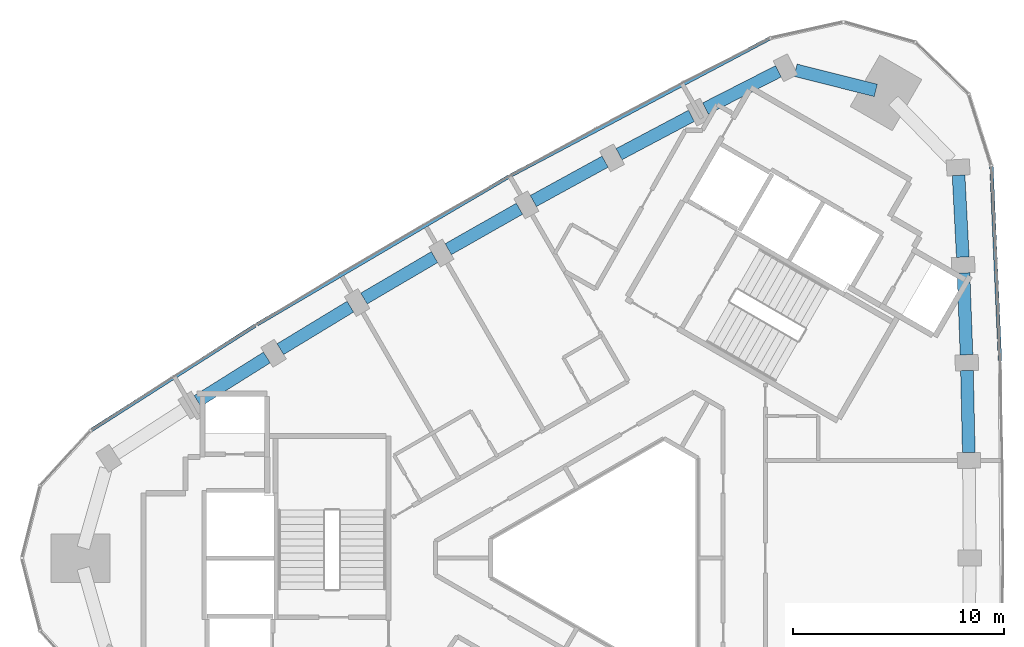
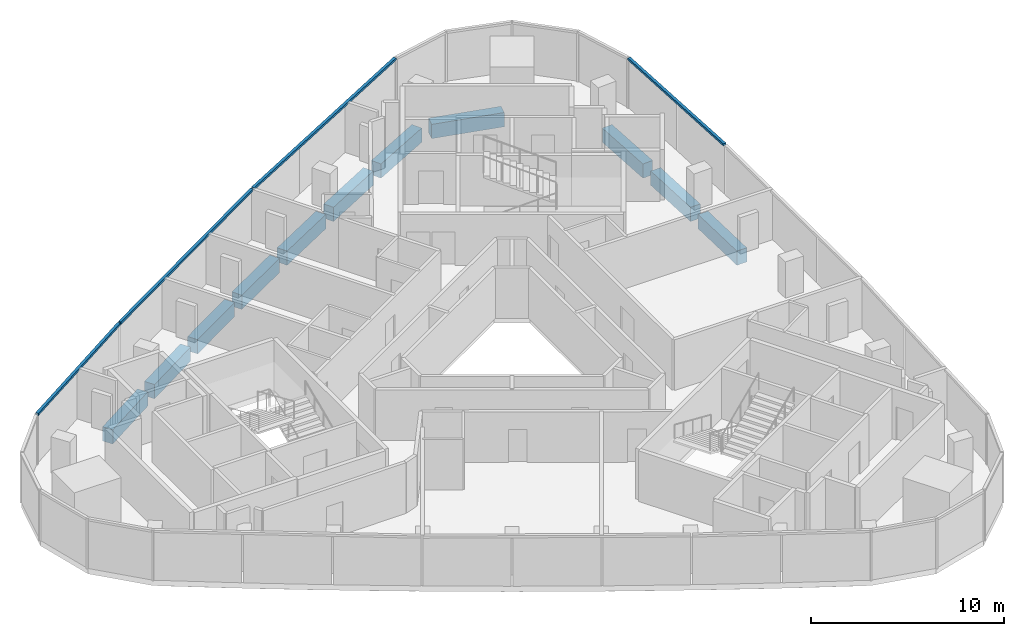
# One storey, part 4 of 11: 11 beams, 4 members, 2 elements without a shape of their own.
"""IFC4 building model written with IfcOpenShell, lengths in metres."""

import ifcopenshell
import ifcopenshell.guid

model = None  # the IFC model being written
_history = None  # IfcOwnerHistory: only IFC2X3 demands one
_inside = {}  # id of a spatial element -> (the spatial element, [elements in it])
_under = {}  # id of a project, library or spatial element -> (it, [spatial elements below it])
_declared = {}  # id of a project -> (the project, [libraries it declares])
_typed = {}  # id of a type object -> (the type object, [elements of that type])
_made_of = {}  # id of a material, layer set ... -> (it, [elements and type objects made of it])


def new_model(schema):
    """Start an empty IFC model of exactly this schema.

    Asked for "IFC4X3", IfcOpenShell would pick the latest addendum, in which some entities
    have other attributes; the version numbers below select the first issue.
    IFC2X3 requires an IfcOwnerHistory on every rooted entity: one is made here for all.
    """
    global model, _history
    if schema == "IFC4X3":
        model = ifcopenshell.file(schema_version=(4, 3, 0, 0))
    else:
        model = ifcopenshell.file(schema=schema)
    _inside.clear()
    _under.clear()
    _declared.clear()
    _typed.clear()
    _made_of.clear()
    _history = None
    if model.schema == "IFC2X3":
        org = make("IfcOrganization", Name="unknown")
        user = make(
            "IfcPersonAndOrganization",
            ThePerson=make("IfcPerson", FamilyName="unknown"),
            TheOrganization=org,
        )
        app = make(
            "IfcApplication",
            ApplicationDeveloper=org,
            Version="unknown",
            ApplicationFullName="unknown",
            ApplicationIdentifier="unknown",
        )
        _history = make(
            "IfcOwnerHistory",
            OwningUser=user,
            OwningApplication=app,
            ChangeAction="ADDED",
            CreationDate=0,
        )
    return model


def make(cls, **values):
    """One entity of the class cls with the attributes given. An attribute that is None is left unset."""
    return model.create_entity(
        cls, **{name: value for name, value in values.items() if value is not None}
    )


def rooted(cls, **values):
    """An entity with a GlobalId (a new one), such as an element, a storey or a relation."""
    return make(cls, GlobalId=ifcopenshell.guid.new(), OwnerHistory=_history, **values)


def si_unit(unit_type, name, prefix=None):
    """IfcSIUnit, for example si_unit("LENGTHUNIT", "METRE", prefix="MILLI")."""
    return make("IfcSIUnit", UnitType=unit_type, Prefix=prefix, Name=name)


def assignment(units):
    """IfcUnitAssignment: the units of a project."""
    return None if units is None else make("IfcUnitAssignment", Units=units)


def point(xyz):
    """IfcCartesianPoint."""
    return None if xyz is None else make("IfcCartesianPoint", Coordinates=xyz)


def direction(xyz):
    """IfcDirection."""
    return None if xyz is None else make("IfcDirection", DirectionRatios=xyz)


def frame(location, z_axis=None, x_axis=None):
    """IfcAxis2Placement3D, a coordinate frame: its origin and axes. An axis left out is left unset."""
    return make(
        "IfcAxis2Placement3D",
        Location=point(location),
        Axis=direction(z_axis),
        RefDirection=direction(x_axis),
    )


def frame_2d(location, x_axis=None):
    """IfcAxis2Placement2D, a coordinate frame in the plane: its origin and x axis."""
    return make(
        "IfcAxis2Placement2D", Location=point(location), RefDirection=direction(x_axis)
    )


def origin():
    """The frame at (0, 0, 0) with its axes left unset."""
    return frame((0.0, 0.0, 0.0))


def origin_2d():
    """The frame at (0, 0) in the plane with its x axis left unset."""
    return frame_2d((0.0, 0.0))


def place(relative_to, where):
    """IfcLocalPlacement: puts the frame where relative to a parent placement (None: the world)."""
    return make(
        "IfcLocalPlacement", PlacementRelTo=relative_to, RelativePlacement=where
    )


def context(
    kind, dimensions, precision=None, world=None, true_north=None, identifier=None
):
    """IfcGeometricRepresentationContext, for example the 3D "Model" context."""
    return make(
        "IfcGeometricRepresentationContext",
        ContextIdentifier=identifier,
        ContextType=kind,
        CoordinateSpaceDimension=dimensions,
        Precision=precision,
        WorldCoordinateSystem=world,
        TrueNorth=true_north,
    )


def subcontext(parent, identifier, kind, view, scale=None):
    """IfcGeometricRepresentationSubContext, for example "Body" below "Model"."""
    return make(
        "IfcGeometricRepresentationSubContext",
        ContextIdentifier=identifier,
        ContextType=kind,
        ParentContext=parent,
        TargetScale=scale,
        TargetView=view,
    )


def project(units=None, contexts=None):
    """IfcProject with its units and contexts."""
    return rooted(
        "IfcProject",
        Name="project",
        RepresentationContexts=contexts,
        UnitsInContext=assignment(units),
    )


def spatial(cls, under=None, at=None, **own):
    """A site, building, storey or space (cls), placed at a placement, below another one or the project."""
    s = rooted(cls, ObjectPlacement=at, **own)
    if under is not None:
        _under.setdefault(under.id(), (under, []))[1].append(s)
    return s


def profile(cls, at=None, kind="AREA", **sizes):
    """A parametric profile (cls). Its sizes go by their IFC names, for example OverallWidth=200.0."""
    return make(cls, ProfileType=kind, Position=at, **sizes)


def rectangle(**sizes):
    """IfcRectangleProfileDef."""
    return profile("IfcRectangleProfileDef", **sizes)


def extrude(swept, where, along, depth):
    """IfcExtrudedAreaSolid: the profile swept, set in the frame where, extruded along a direction by depth."""
    return make(
        "IfcExtrudedAreaSolid",
        SweptArea=swept,
        Position=where,
        ExtrudedDirection=direction(along),
        Depth=depth,
    )


def shape(context_of_items, identifier, shape_type, items):
    """IfcShapeRepresentation: the items that make up one representation, for example the "Body"."""
    return make(
        "IfcShapeRepresentation",
        ContextOfItems=context_of_items,
        RepresentationIdentifier=identifier,
        RepresentationType=shape_type,
        Items=items,
    )


def material(Name=None, Category=None):
    """IfcMaterial."""
    return make("IfcMaterial", Name=Name, Category=Category)


def material_profile(
    of_material, cross_section, Name=None, Category=None, Priority=None
):
    """IfcMaterialProfile: a cross section and its material."""
    return make(
        "IfcMaterialProfile",
        Name=Name,
        Material=of_material,
        Profile=cross_section,
        Priority=Priority,
        Category=Category,
    )


def profile_set(profiles, Name=None, composite=None):
    """IfcMaterialProfileSet."""
    return make(
        "IfcMaterialProfileSet",
        Name=Name,
        MaterialProfiles=profiles,
        CompositeProfile=composite,
    )


def made_of(thing, what):
    """Note that an element or type object is made of a material, layer set ...; save() writes the relation."""
    if what is not None:
        _made_of.setdefault(what.id(), (what, []))[1].append(thing)
    return thing


def type_object(cls, material=None, **own):
    """A type object (cls), such as IfcWallType, which elements share."""
    return made_of(rooted(cls, **own), material)


def element(
    cls,
    number,
    at=None,
    inside=None,
    cuts=None,
    type_object=None,
    material=None,
    context=None,
    identifier="Body",
    shape_type=None,
    held_by="IfcProductDefinitionShape",
    body=None,
    shapes=None,
    **own,
):
    """One element of the class cls, such as IfcWall. Its Tag is "e" and its number.

    at: its placement. inside: the storey or other place that contains it. cuts: it is an
    opening in that element (IfcRelVoidsElement). A single representation is given by context,
    identifier, shape_type and body (its items); several are given by shapes. held_by: the class
    of the entity that holds the representations. save() writes the other relations.
    """
    e = rooted(cls, Tag="e%d" % number, ObjectPlacement=at, **own)
    if body is not None:
        shapes = [shape(context, identifier, shape_type, body)]
    if shapes is not None:
        e.Representation = make(held_by, Representations=shapes)
    if inside is not None:
        _inside.setdefault(inside.id(), (inside, []))[1].append(e)
    if cuts is not None:
        rooted(
            "IfcRelVoidsElement", RelatingBuildingElement=cuts, RelatedOpeningElement=e
        )
    if type_object is not None:
        _typed.setdefault(type_object.id(), (type_object, []))[1].append(e)
    return made_of(e, material)


def aggregate(whole, parts):
    """IfcRelAggregates: a whole, such as a stair, and the parts it consists of."""
    return rooted("IfcRelAggregates", RelatingObject=whole, RelatedObjects=parts)


def save(model, path):
    """Write the relations noted so far, then the file.

    IfcRelAggregates (storeys below a building ...), IfcRelContainedInSpatialStructure (elements
    in a storey), IfcRelDefinesByType, IfcRelAssociatesMaterial and IfcRelDeclares: one each for
    every whole, place, type object, material and project.
    """
    for whole, parts in _under.values():
        aggregate(whole, parts)
    for where, things in _inside.values():
        rooted(
            "IfcRelContainedInSpatialStructure",
            RelatedElements=things,
            RelatingStructure=where,
        )
    for kind, things in _typed.values():
        rooted("IfcRelDefinesByType", RelatedObjects=things, RelatingType=kind)
    for what, things in _made_of.values():
        rooted("IfcRelAssociatesMaterial", RelatedObjects=things, RelatingMaterial=what)
    for by, libraries in _declared.values():
        rooted("IfcRelDeclares", RelatingContext=by, RelatedDefinitions=libraries)
    model.write(path)


model = new_model("IFC4")

# Units and contexts
model_context = context("Model", 3, precision=1e-05, world=origin(), true_north=direction((0.0, 1.0)))
body_context = subcontext(model_context, "Body", "Model", "MODEL_VIEW")
ifc_project = project(units=[si_unit("LENGTHUNIT", "METRE"), si_unit("AREAUNIT", "SQUARE_METRE"), si_unit("VOLUMEUNIT", "CUBIC_METRE"), si_unit("PLANEANGLEUNIT", "RADIAN"), si_unit("MASSUNIT", "GRAM", prefix="KILO")], contexts=[model_context])

# Site, building, storey
site_placement = place(None, origin())
site = spatial("IfcSite", under=ifc_project, at=site_placement, CompositionType="ELEMENT")
building_placement = place(site_placement, origin())
building = spatial("IfcBuilding", under=site, at=building_placement, Name="Tamra Quay Hotel Tower", CompositionType="ELEMENT")
storey_placement = place(building_placement, frame((0.0, 0.0, 253.800048828125)))
storey = spatial("IfcBuildingStorey", under=building, at=storey_placement, Name="L64", CompositionType="ELEMENT", Elevation=253.800048828125)

# Beams
ifc_material_1 = material(Name="Concrete M60", Category="concrete")
ifc_material_profile_1 = material_profile(ifc_material_1, rectangle(XDim=0.60009765625, YDim=0.89990234375, at=origin_2d()), Name="SPANDREL BEAM RC 600x900")
ifc_profile_set_1 = profile_set([ifc_material_profile_1], Name="Concrete M60")
beam_type = type_object("IfcBeamType", Name="SPANDREL BEAM RC 600x900", PredefinedType="SPANDREL", material=ifc_profile_set_1)
beam_1_placement = place(storey_placement, frame((16.626953125, 5.0, -0.800048828125), z_axis=(-0.022047440235, 0.999756925647, 0.0), x_axis=(-0.999756925647, -0.022047440235, 0.0)))
element("IfcBeam", 1, at=beam_1_placement, inside=storey, type_object=beam_type, Name="BM-SP5-005-L64", PredefinedType="SPANDREL", context=body_context, shape_type="SweptSolid", body=[
    extrude(rectangle(XDim=0.60009765625, YDim=0.89990234375, at=origin_2d()), origin(), (0.0, 0.0, 1.0), 3.875732421875),
])
beam_2_placement = place(storey_placement, frame((16.51953125, 9.62451171875, -0.800048828125), z_axis=(-0.036732019634, 0.999325151657, 0.0), x_axis=(-0.999325151657, -0.036732019634, 0.0)))
element("IfcBeam", 2, at=beam_2_placement, inside=storey, type_object=beam_type, Name="BM-SP5-006-L64", PredefinedType="SPANDREL", context=body_context, shape_type="SweptSolid", body=[
    extrude(rectangle(XDim=0.60009765625, YDim=0.89990234375, at=origin_2d()), origin(), (0.0, 0.0, 1.0), 3.875),
])
beam_3_placement = place(storey_placement, frame((16.343994140625, 14.24609375, -0.800048828125), z_axis=(-0.051404854824, 0.998677896471, 0.0), x_axis=(-0.998677896471, -0.051404854824, 0.0)))
element("IfcBeam", 3, at=beam_3_placement, inside=storey, type_object=beam_type, Name="BM-SP5-007-L64", PredefinedType="SPANDREL", context=body_context, shape_type="SweptSolid", body=[
    extrude(rectangle(XDim=0.60009765625, YDim=0.89990234375, at=origin_2d()), origin(), (0.0, 0.0, 1.0), 3.87548828125),
])
beam_4_placement = place(storey_placement, frame((12.225830078125, 22.136474609375, -0.800048828125), z_axis=(-0.969848171666, 0.243709917558, 0.0), x_axis=(-0.243709917558, -0.969848171666, 0.0)))
element("IfcBeam", 4, at=beam_4_placement, inside=storey, type_object=beam_type, Name="BM-SP5-009-L64", PredefinedType="SPANDREL", context=body_context, shape_type="SweptSolid", body=[
    extrude(rectangle(XDim=0.60009765625, YDim=0.89990234375, at=origin_2d()), origin(), (0.0, 0.0, 1.0), 3.912841796875),
])
beam_5_placement = place(storey_placement, frame((7.616943359375, 23.0400390625, -0.800048828125), z_axis=(-0.890602550436, -0.454782472349, 0.0), x_axis=(0.454782472349, -0.890602550436, 0.0)))
element("IfcBeam", 5, at=beam_5_placement, inside=storey, type_object=beam_type, Name="BM-SP5-010-L64", PredefinedType="SPANDREL", context=body_context, shape_type="SweptSolid", body=[
    extrude(rectangle(XDim=0.60009765625, YDim=0.89990234375, at=origin_2d()), origin(), (0.0, 0.0, 1.0), 3.87548828125),
])
beam_6_placement = place(storey_placement, frame((3.5, 20.931396484375, -0.800048828125), z_axis=(-0.883803240878, -0.467858772937, 0.0), x_axis=(0.467858772937, -0.883803240878, 0.0)))
element("IfcBeam", 6, at=beam_6_placement, inside=storey, type_object=beam_type, Name="BM-SP5-011-L64", PredefinedType="SPANDREL", context=body_context, shape_type="SweptSolid", body=[
    extrude(rectangle(XDim=0.60009765625, YDim=0.89990234375, at=origin_2d()), origin(), (0.0, 0.0, 1.0), 3.875),
])
beam_7_placement = place(storey_placement, frame((-0.585205078125, 18.7626953125, -0.800048828125), z_axis=(-0.876838966376, -0.480784179279, 0.0), x_axis=(0.480784179279, -0.876838966376, 0.0)))
element("IfcBeam", 7, at=beam_7_placement, inside=storey, type_object=beam_type, Name="BM-SP5-012-L64", PredefinedType="SPANDREL", context=body_context, shape_type="SweptSolid", body=[
    extrude(rectangle(XDim=0.60009765625, YDim=0.89990234375, at=origin_2d()), origin(), (0.0, 0.0, 1.0), 3.87548828125),
])
beam_8_placement = place(storey_placement, frame((-4.638427734375, 16.533935546875, -0.800048828125), z_axis=(-0.86967787455, -0.493619686113, 0.0), x_axis=(0.493619686113, -0.86967787455, 0.0)))
element("IfcBeam", 8, at=beam_8_placement, inside=storey, type_object=beam_type, Name="BM-SP5-013-L64", PredefinedType="SPANDREL", context=body_context, shape_type="SweptSolid", body=[
    extrude(rectangle(XDim=0.60009765625, YDim=0.89990234375, at=origin_2d()), origin(), (0.0, 0.0, 1.0), 3.875244140625),
])
beam_9_placement = place(storey_placement, frame((-8.658203125, 14.24609375, -0.800048828125), z_axis=(-0.862324287816, -0.506356418585, 0.0), x_axis=(0.506356418585, -0.862324287816, 0.0)))
element("IfcBeam", 9, at=beam_9_placement, inside=storey, type_object=beam_type, Name="BM-SP5-014-L64", PredefinedType="SPANDREL", context=body_context, shape_type="SweptSolid", body=[
    extrude(rectangle(XDim=0.60009765625, YDim=0.89990234375, at=origin_2d()), origin(), (0.0, 0.0, 1.0), 3.875),
])
beam_10_placement = place(storey_placement, frame((-12.6435546875, 11.8994140625, -0.800048828125), z_axis=(-0.854785519234, -0.518981421737, 0.0), x_axis=(0.518981421737, -0.854785519234, 0.0)))
element("IfcBeam", 10, at=beam_10_placement, inside=storey, type_object=beam_type, Name="BM-SP5-015-L64", PredefinedType="SPANDREL", context=body_context, shape_type="SweptSolid", body=[
    extrude(rectangle(XDim=0.60009765625, YDim=0.89990234375, at=origin_2d()), origin(), (0.0, 0.0, 1.0), 3.875732421875),
])
beam_11_placement = place(storey_placement, frame((-16.5947265625, 9.494140625, -0.800048828125), z_axis=(-0.847066119134, -0.53148752555, 0.0), x_axis=(0.53148752555, -0.847066119134, 0.0)))
element("IfcBeam", 11, at=beam_11_placement, inside=storey, type_object=beam_type, Name="BM-SP5-016-L64", PredefinedType="SPANDREL", context=body_context, shape_type="SweptSolid", body=[
    extrude(rectangle(XDim=0.60009765625, YDim=0.89990234375, at=origin_2d()), origin(), (0.0, 0.0, 1.0), 3.875),
])

# Curtain wall, member
ifc_material_2 = material(Name="Aluminium 6063 anodised dark grey", Category="aluminium")
curtain_wall_type_1 = type_object("IfcCurtainWallType", Name="CW1 CURTAIN WALL", PredefinedType="NOTDEFINED", material=ifc_material_2)
curtain_wall_1_placement = place(storey_placement, origin())
curtain_wall_1 = element("IfcCurtainWall", 12, at=curtain_wall_1_placement, inside=storey, type_object=curtain_wall_type_1, Name="CW1 east face L64", PredefinedType="NOTDEFINED")
ifc_material_profile_2 = material_profile(ifc_material_2, rectangle(XDim=0.169921875, YDim=0.139892578125, at=origin_2d()), Name="TRANSOM 170X140")
ifc_profile_set_2 = profile_set([ifc_material_profile_2], Name="Aluminium 6063 anodised dark grey")
member_type_1 = type_object("IfcMemberType", Name="TRANSOM CW1 Z5", PredefinedType="USERDEFINED", material=ifc_profile_set_2)
member_1_placement = place(storey_placement, frame((18.104736328125, 9.34521484375, 3.1298828125), z_axis=(-0.044067372044, 0.999028561514, 0.0), x_axis=(-0.999028561514, -0.044067372044, 0.0)))
member_1 = element("IfcMember", 13, at=member_1_placement, type_object=member_type_1, Name="CW1 transom L64.E.7", ObjectType="TRANSOM", PredefinedType="USERDEFINED", context=body_context, shape_type="SweptSolid", body=[
    extrude(rectangle(XDim=0.169921875, YDim=0.139892578125, at=origin_2d()), origin(), (0.0, 0.0, 1.0), 9.19677734375),
])
aggregate(curtain_wall_1, [member_1])

# Curtain wall, members
curtain_wall_type_2 = type_object("IfcCurtainWallType", Name="CW2 CURTAIN WALL", PredefinedType="NOTDEFINED", material=ifc_material_2)
curtain_wall_2_placement = place(storey_placement, origin())
curtain_wall_2 = element("IfcCurtainWall", 14, at=curtain_wall_2_placement, inside=storey, type_object=curtain_wall_type_2, Name="CW2 north-west face L64", PredefinedType="NOTDEFINED")
ifc_material_profile_3 = material_profile(ifc_material_2, rectangle(XDim=0.169921875, YDim=0.139892578125, at=origin_2d()), Name="TRANSOM 170X140")
ifc_profile_set_3 = profile_set([ifc_material_profile_3], Name="Aluminium 6063 anodised dark grey")
member_type_2 = type_object("IfcMemberType", Name="TRANSOM CW2 Z5", PredefinedType="USERDEFINED", material=ifc_profile_set_3)
member_2_placement = place(storey_placement, frame((7.2001953125, 24.5947265625, 3.1298828125), z_axis=(-0.883805932558, -0.467853688214, 0.0), x_axis=(0.467853688214, -0.883805932558, 0.0)))
member_2 = element("IfcMember", 15, at=member_2_placement, type_object=member_type_2, Name="CW2 transom L64.NW.1", ObjectType="TRANSOM", PredefinedType="USERDEFINED", context=body_context, shape_type="SweptSolid", body=[
    extrude(rectangle(XDim=0.169921875, YDim=0.139892578125, at=origin_2d()), origin(), (0.0, 0.0, 1.0), 13.84375),
])
member_3_placement = place(storey_placement, frame((-5.122314453125, 18.069091796875, 3.1298828125), z_axis=(-0.862327906366, -0.50635025615, 0.0), x_axis=(0.50635025615, -0.862327906366, 0.0)))
member_3 = element("IfcMember", 16, at=member_3_placement, type_object=member_type_2, Name="CW2 transom L64.NW.4", ObjectType="TRANSOM", PredefinedType="USERDEFINED", context=body_context, shape_type="SweptSolid", body=[
    extrude(rectangle(XDim=0.169921875, YDim=0.139892578125, at=origin_2d()), origin(), (0.0, 0.0, 1.0), 13.84423828125),
])
member_4_placement = place(storey_placement, frame((-17.1455078125, 11.006591796875, 3.1298828125), z_axis=(-0.843150628399, -0.537677429162, 0.0), x_axis=(0.537677429162, -0.843150628399, 0.0)))
member_4 = element("IfcMember", 17, at=member_4_placement, type_object=member_type_2, Name="CW2 transom L64.NW.7", ObjectType="TRANSOM", PredefinedType="USERDEFINED", context=body_context, shape_type="SweptSolid", body=[
    extrude(rectangle(XDim=0.169921875, YDim=0.139892578125, at=origin_2d()), origin(), (0.0, 0.0, 1.0), 9.196533203125),
])
aggregate(curtain_wall_2, [member_2, member_3, member_4])

save(model, "model.ifc")
